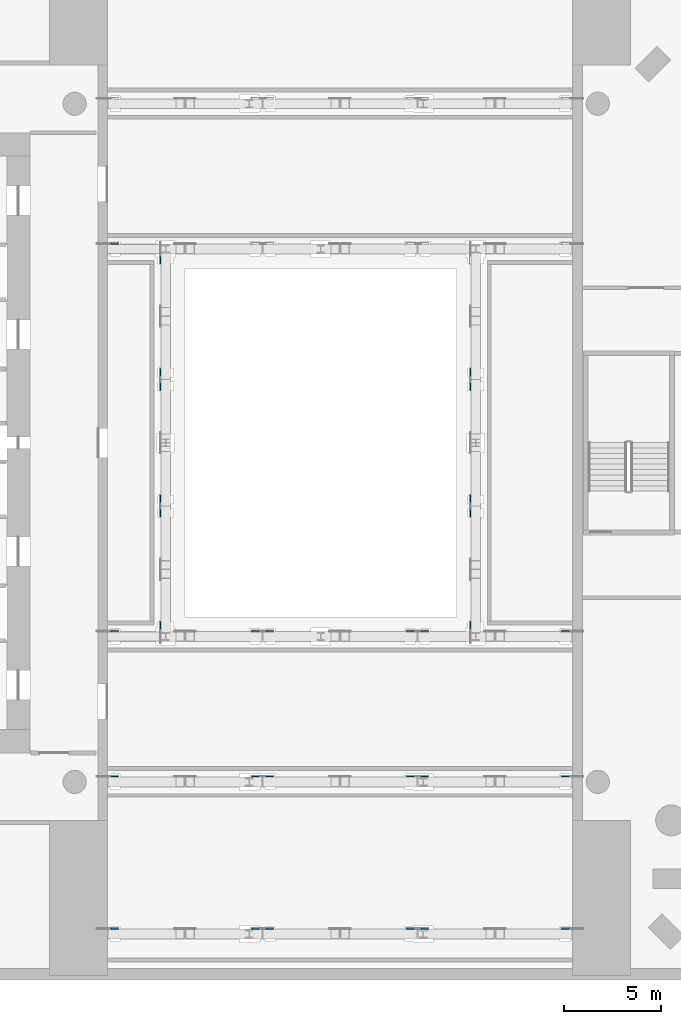
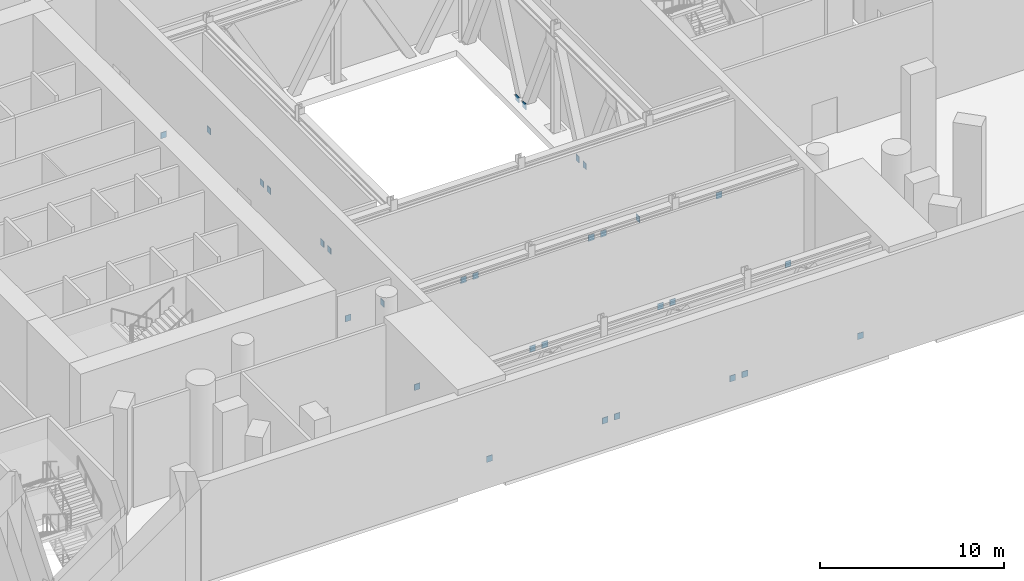
# One storey, part 9 of 21: 30 discrete accessories.
"""IFC4 building model written with IfcOpenShell, lengths in metres."""

from ifc_helpers import new_model, si_unit, direction, frame, origin, origin_2d, place, context, subcontext, project, spatial, rectangle, extrude, material, material_profile, profile_set, type_object, element, save


model = new_model("IFC4")

# Units and contexts
model_context = context("Model", 3, precision=1e-05, world=origin(), true_north=direction((0.0, 1.0)))
body_context = subcontext(model_context, "Body", "Model", "MODEL_VIEW")
ifc_project = project(units=[si_unit("LENGTHUNIT", "METRE"), si_unit("AREAUNIT", "SQUARE_METRE"), si_unit("VOLUMEUNIT", "CUBIC_METRE"), si_unit("PLANEANGLEUNIT", "RADIAN"), si_unit("MASSUNIT", "GRAM", prefix="KILO")], contexts=[model_context])

# Site, building, storey
site_placement = place(None, origin())
site = spatial("IfcSite", under=ifc_project, at=site_placement, CompositionType="ELEMENT")
building_placement = place(site_placement, origin())
building = spatial("IfcBuilding", under=site, at=building_placement, Name="Cypress Arch Tower", CompositionType="ELEMENT")
storey_placement = place(building_placement, frame((0.0, 0.0, 29.0)))
storey = spatial("IfcBuildingStorey", under=building, at=storey_placement, Name="L03", CompositionType="ELEMENT", Elevation=29.0)

# Discrete accessories
ifc_material = material(Name="Steel ASTM A992", Category="steel")
ifc_material_profile = material_profile(ifc_material, rectangle(XDim=0.360107421875, YDim=0.39990234375, at=origin_2d()), Name="PL 40 360x400")
ifc_profile_set = profile_set([ifc_material_profile], Name="Steel ASTM A992")
discrete_accessory_type = type_object("IfcDiscreteAccessoryType", Name="Truss diagonal foot plate 360x400x40 Steel ASTM A992", PredefinedType="ANCHORPLATE", material=ifc_profile_set)
for number, where, z_axis, x_axis, name in (
    (1, (-9.6201171875, -25.095947265625, -0.199951171875), (0.0, 1.0, 0.0), (-1.0, 0.0, 0.0), "Foot plate transfer truss SF diagonal 1"),
    (2, (-2.3798828125, -25.095947265625, -0.199951171875), (0.0, 1.0, 0.0), (-1.0, 0.0, 0.0), "Foot plate transfer truss SF diagonal 2"),
    (3, (-1.6201171875, -25.095947265625, -0.199951171875), (0.0, 1.0, 0.0), (-1.0, 0.0, 0.0), "Foot plate transfer truss SF diagonal 3"),
    (4, (5.6201171875, -25.095947265625, -0.199951171875), (0.0, 1.0, 0.0), (-1.0, 0.0, 0.0), "Foot plate transfer truss SF diagonal 4"),
    (5, (6.3798828125, -25.095947265625, -0.199951171875), (0.0, 1.0, 0.0), (-1.0, 0.0, 0.0), "Foot plate transfer truss SF diagonal 5"),
    (6, (13.6201171875, -25.095947265625, -0.199951171875), (0.0, 1.0, 0.0), (-1.0, 0.0, 0.0), "Foot plate transfer truss SF diagonal 6"),
    (7, (-9.6201171875, -17.24609375, -0.199951171875), (0.0, 1.0, 0.0), (-1.0, 0.0, 0.0), "Foot plate transfer truss S17 diagonal 1"),
    (8, (-2.3798828125, -17.24609375, -0.199951171875), (0.0, 1.0, 0.0), (-1.0, 0.0, 0.0), "Foot plate transfer truss S17 diagonal 2"),
    (9, (-1.6201171875, -17.24609375, -0.199951171875), (0.0, 1.0, 0.0), (-1.0, 0.0, 0.0), "Foot plate transfer truss S17 diagonal 3"),
    (10, (5.6201171875, -17.24609375, -0.199951171875), (0.0, 1.0, 0.0), (-1.0, 0.0, 0.0), "Foot plate transfer truss S17 diagonal 4"),
    (11, (6.3798828125, -17.24609375, -0.199951171875), (0.0, 1.0, 0.0), (-1.0, 0.0, 0.0), "Foot plate transfer truss S17 diagonal 5"),
    (12, (13.6201171875, -17.24609375, -0.199951171875), (0.0, 1.0, 0.0), (-1.0, 0.0, 0.0), "Foot plate transfer truss S17 diagonal 6"),
    (13, (-9.6201171875, -9.74609375, -0.199951171875), (0.0, 1.0, 0.0), (-1.0, 0.0, 0.0), "Foot plate transfer truss S10 diagonal 1"),
    (14, (-2.3798828125, -9.74609375, -0.199951171875), (0.0, 1.0, 0.0), (-1.0, 0.0, 0.0), "Foot plate transfer truss S10 diagonal 2"),
    (15, (-1.6201171875, -9.74609375, -0.199951171875), (0.0, 1.0, 0.0), (-1.0, 0.0, 0.0), "Foot plate transfer truss S10 diagonal 3"),
    (16, (5.6201171875, -9.74609375, -0.199951171875), (0.0, 1.0, 0.0), (-1.0, 0.0, 0.0), "Foot plate transfer truss S10 diagonal 4"),
    (17, (6.3798828125, -9.74609375, -0.199951171875), (0.0, 1.0, 0.0), (-1.0, 0.0, 0.0), "Foot plate transfer truss S10 diagonal 5"),
    (18, (13.6201171875, -9.74609375, -0.199951171875), (0.0, 1.0, 0.0), (-1.0, 0.0, 0.0), "Foot plate transfer truss S10 diagonal 6"),
    (19, (-9.6201171875, 10.25390625, -0.199951171875), (0.0, 1.0, 0.0), (-1.0, 0.0, 0.0), "Foot plate transfer truss N10 diagonal 1"),
    (20, (-7.25390625, -9.41796875, -0.199951171875), (-1.0, 0.0, 0.0), (0.0, -1.0, 0.0), "Foot plate transfer truss R-7 diagonal 1"),
    (21, (-7.25390625, -3.64599609375, -0.199951171875), (-1.0, 0.0, 0.0), (0.0, -1.0, 0.0), "Foot plate transfer truss R-7 diagonal 2"),
    (22, (-7.25390625, -2.885986328125, -0.199951171875), (-1.0, 0.0, 0.0), (0.0, -1.0, 0.0), "Foot plate transfer truss R-7 diagonal 3"),
    (23, (-7.25390625, 2.885986328125, -0.199951171875), (-1.0, 0.0, 0.0), (0.0, -1.0, 0.0), "Foot plate transfer truss R-7 diagonal 4"),
    (24, (-7.25390625, 3.64599609375, -0.199951171875), (-1.0, 0.0, 0.0), (0.0, -1.0, 0.0), "Foot plate transfer truss R-7 diagonal 5"),
    (25, (-7.25390625, 9.41796875, -0.199951171875), (-1.0, 0.0, 0.0), (0.0, -1.0, 0.0), "Foot plate transfer truss R-7 diagonal 6"),
    (26, (8.74609375, -9.41796875, -0.199951171875), (-1.0, 0.0, 0.0), (0.0, -1.0, 0.0), "Foot plate transfer truss R+9 diagonal 1"),
    (27, (8.74609375, -3.64599609375, -0.199951171875), (-1.0, 0.0, 0.0), (0.0, -1.0, 0.0), "Foot plate transfer truss R+9 diagonal 2"),
    (28, (8.74609375, -2.885986328125, -0.199951171875), (-1.0, 0.0, 0.0), (0.0, -1.0, 0.0), "Foot plate transfer truss R+9 diagonal 3"),
    (29, (8.74609375, 2.885986328125, -0.199951171875), (-1.0, 0.0, 0.0), (0.0, -1.0, 0.0), "Foot plate transfer truss R+9 diagonal 4"),
    (30, (8.74609375, 3.64599609375, -0.199951171875), (-1.0, 0.0, 0.0), (0.0, -1.0, 0.0), "Foot plate transfer truss R+9 diagonal 5"),
):
    element("IfcDiscreteAccessory", number, at=place(storey_placement, frame(where, z_axis=z_axis, x_axis=x_axis)), inside=storey, type_object=discrete_accessory_type, Name=name, PredefinedType="ANCHORPLATE", context=body_context, shape_type="SweptSolid", body=[
        extrude(rectangle(XDim=0.360107421875, YDim=0.39990234375, at=origin_2d()), origin(), (0.0, 0.0, 1.0), 0.0400390625),
    ])

save(model, "model.ifc")
